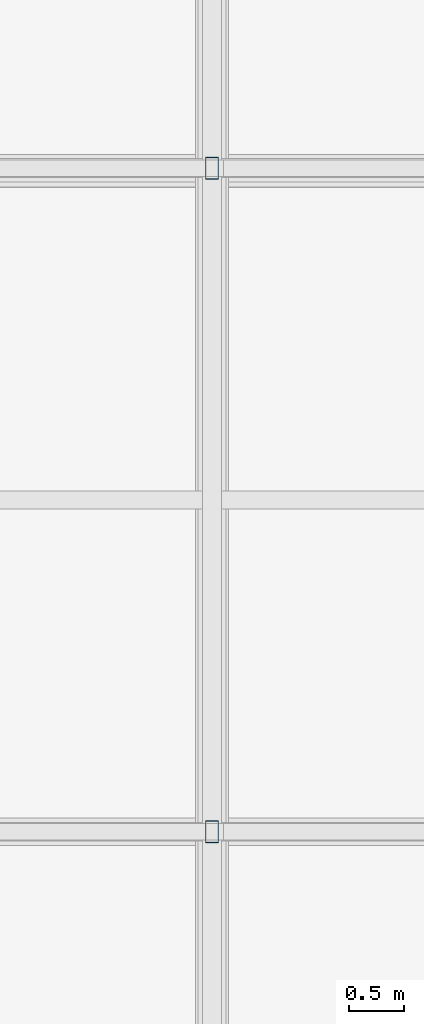
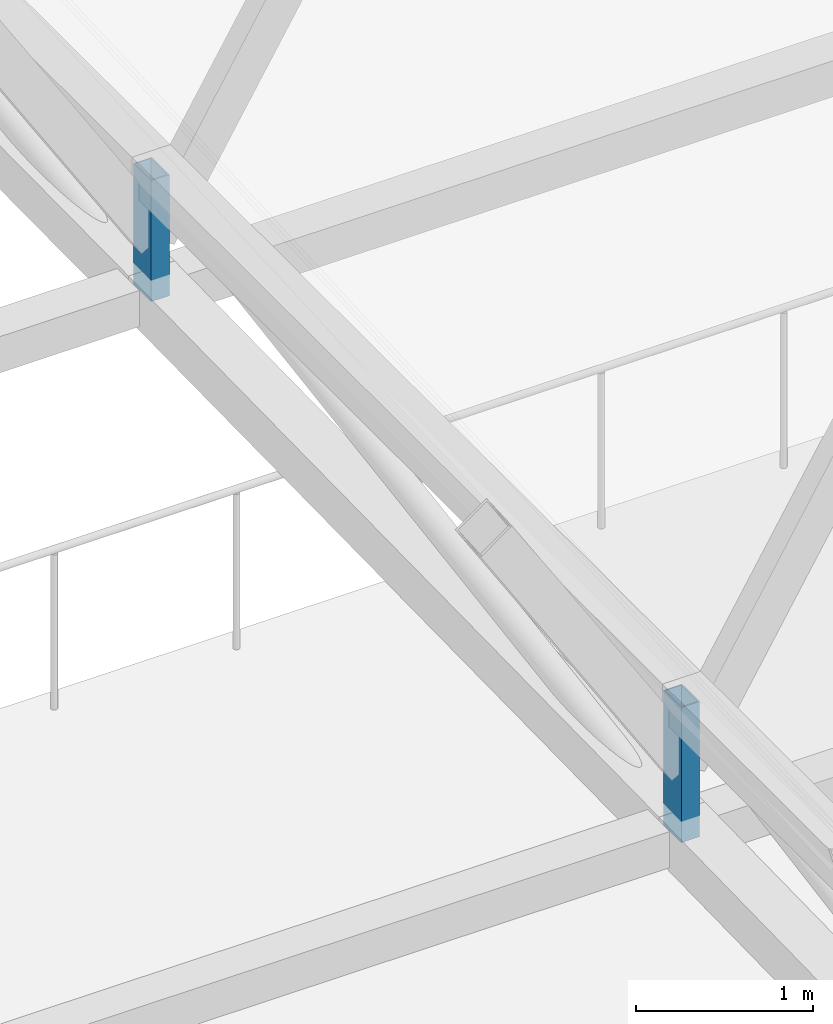
# One storey, part 246 of 324: 2 members.
"""IFC4 building model written with IfcOpenShell, lengths in metres."""

from ifc_helpers import new_model, si_unit, direction, frame, origin, origin_2d, place, context, subcontext, project, spatial, hollow_rectangle, extrude, material, material_profile, profile_set, type_object, element, save


model = new_model("IFC4")

# Units and contexts
model_context = context("Model", 3, precision=1e-05, world=origin(), true_north=direction((0.0, 1.0)))
body_context = subcontext(model_context, "Body", "Model", "MODEL_VIEW")
ifc_project = project(units=[si_unit("LENGTHUNIT", "METRE"), si_unit("AREAUNIT", "SQUARE_METRE"), si_unit("VOLUMEUNIT", "CUBIC_METRE"), si_unit("PLANEANGLEUNIT", "RADIAN"), si_unit("MASSUNIT", "GRAM", prefix="KILO")], contexts=[model_context])

# Site, building, storey
site_placement = place(None, origin())
site = spatial("IfcSite", under=ifc_project, at=site_placement, CompositionType="ELEMENT")
building_placement = place(site_placement, origin())
building = spatial("IfcBuilding", under=site, at=building_placement, Name="Solvenia Promenade Tram Depot", CompositionType="ELEMENT")
storey_placement = place(building_placement, frame((0.0, 0.0, 4.5)))
storey = spatial("IfcBuildingStorey", under=building, at=storey_placement, Name="L01", CompositionType="ELEMENT", Elevation=4.5)

# Members
ifc_material = material(Name="Structural steel ASTM A500 Gr. C", Category="steel")
ifc_material_profile = material_profile(ifc_material, hollow_rectangle(XDim=0.1201171875, YDim=0.199951171875, WallThickness=0.008056640625, at=origin_2d()), Name="HSS200x120x8", Category="steel")
ifc_profile_set = profile_set([ifc_material_profile], Name="Structural steel ASTM A500 Gr. C")
member_type = type_object("IfcMemberType", Name="Post-HSS200x120x8", PredefinedType="POST", material=ifc_profile_set)
member_1_placement = place(storey_placement, frame((30.0, 72.0, 2.446044921875), z_axis=(0.0, 0.0, 1.0), x_axis=(1.0, 0.0, 0.0)))
element("IfcMember", 1, at=member_1_placement, inside=storey, type_object=member_type, Name="Arched Truss T05 Web Post S01", PredefinedType="POST", context=body_context, shape_type="SweptSolid", body=[
    extrude(hollow_rectangle(XDim=0.1201171875, YDim=0.199951171875, WallThickness=0.008056640625, at=origin_2d()), origin(), (0.0, 0.0, 1.0), 0.933837890625),
])
member_2_placement = place(storey_placement, frame((30.0, 78.0, 2.5439453125), z_axis=(0.0, 0.0, 1.0), x_axis=(1.0, 0.0, 0.0)))
element("IfcMember", 2, at=member_2_placement, inside=storey, type_object=member_type, Name="Arched Truss T05 Web Post S02", PredefinedType="POST", context=body_context, shape_type="SweptSolid", body=[
    extrude(hollow_rectangle(XDim=0.1201171875, YDim=0.199951171875, WallThickness=0.008056640625, at=origin_2d()), origin(), (0.0, 0.0, 1.0), 0.8359375),
])

save(model, "model.ifc")
